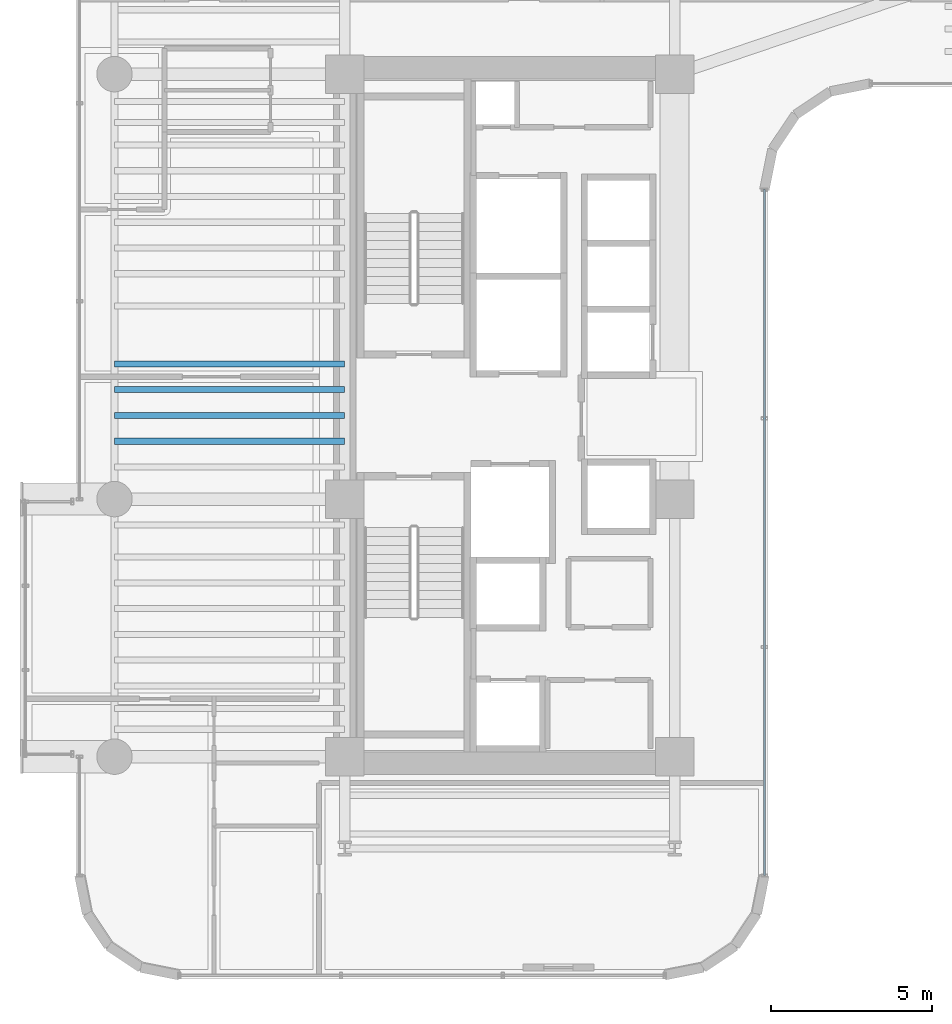
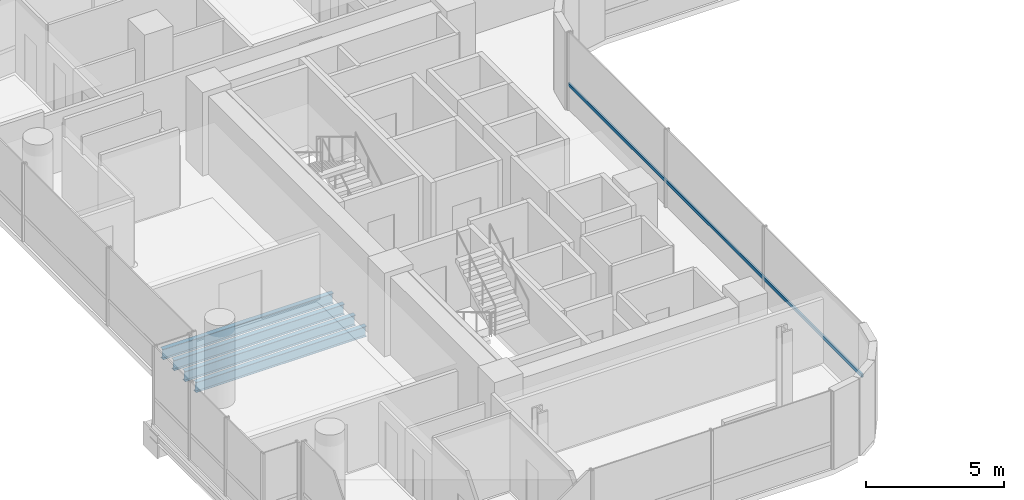
# One storey, part 6 of 37: 4 beams, 1 member, 1 element without a shape of its own.
"""IFC4 building model written with IfcOpenShell, lengths in metres."""

from ifc_helpers import new_model, si_unit, direction, frame, origin, origin_2d, place, context, subcontext, project, spatial, hollow_rectangle, i_section, extrude, source, transform, mapped, material, material_profile, profile_set, type_object, element, aggregate, save


model = new_model("IFC4")

# Units and contexts
model_context = context("Model", 3, precision=1e-05, world=origin(), true_north=direction((0.0, 1.0)))
body_context = subcontext(model_context, "Body", "Model", "MODEL_VIEW")
ifc_project = project(units=[si_unit("LENGTHUNIT", "METRE"), si_unit("AREAUNIT", "SQUARE_METRE"), si_unit("VOLUMEUNIT", "CUBIC_METRE"), si_unit("PLANEANGLEUNIT", "RADIAN"), si_unit("MASSUNIT", "GRAM", prefix="KILO")], contexts=[model_context])

# Site, building, storey
site_placement = place(None, origin())
site = spatial("IfcSite", under=ifc_project, at=site_placement, CompositionType="ELEMENT")
building_placement = place(site_placement, origin())
building = spatial("IfcBuilding", under=site, at=building_placement, Name="Valdorenza Pilgrim Sanctuary Tower", CompositionType="ELEMENT")
storey_placement = place(building_placement, frame((0.0, 0.0, 127.89990234375)))
storey = spatial("IfcBuildingStorey", under=building, at=storey_placement, Name="L32", CompositionType="ELEMENT", Elevation=127.89990234375)

# Beams
ifc_material_1 = material(Name="Steel ASTM A992 Grade 50", Category="steel")
ifc_material_profile_1 = material_profile(ifc_material_1, i_section(OverallWidth=0.19091796875, OverallDepth=0.45703125, WebThickness=0.009033203125, FlangeThickness=0.014404296875, at=origin_2d()), Name="W18X50")
ifc_profile_set_1 = profile_set([ifc_material_profile_1], Name="Steel ASTM A992 Grade 50")
beam_type = type_object("IfcBeamType", Name="STR-BM-JST-W18B", PredefinedType="JOIST", material=ifc_profile_set_1)
shared_shape_1 = source(origin(), body_context, "Body", "SweptSolid", [
    extrude(i_section(OverallWidth=0.19091796875, OverallDepth=0.45703125, WebThickness=0.009033203125, FlangeThickness=0.014404296875, at=origin_2d()), origin(), (0.0, 0.0, 1.0), 7.150146484375),
])
for number, where, z_axis, x_axis, name in (
    (1, (-29.800048828125, -0.800048828125, -0.468505859375), (1.0, 0.0, 0.0), (0.0, 1.0, 0.0), "L32 Composite Floor Joist JST-WA-11"),
    (2, (-29.800048828125, 0.0, -0.468505859375), (1.0, 0.0, 0.0), (0.0, 1.0, 0.0), "L32 Composite Floor Joist JST-WA-12"),
    (3, (-29.800048828125, 0.800048828125, -0.468505859375), (1.0, 0.0, 0.0), (0.0, 1.0, 0.0), "L32 Composite Floor Joist JST-WA-13"),
    (4, (-29.800048828125, 1.60009765625, -0.468505859375), (1.0, 0.0, 0.0), (0.0, 1.0, 0.0), "L32 Composite Floor Joist JST-WA-14"),
):
    element("IfcBeam", number, at=place(storey_placement, frame(where, z_axis=z_axis, x_axis=x_axis)), inside=storey, type_object=beam_type, Name=name, PredefinedType="JOIST", context=body_context, shape_type="MappedRepresentation", body=[
        mapped(shared_shape_1, transform((0.0, 0.0, 0.0), x_axis=(1.0, 0.0, 0.0), y_axis=(0.0, 1.0, 0.0), z_axis=(0.0, 0.0, 1.0), scale=1.0)),
    ])

# Curtain wall, member
ifc_material_2 = material(Name="Curtain-wall IGU glazing", Category="glass")
curtain_wall_type = type_object("IfcCurtainWallType", Name="CW-SYS-02", PredefinedType="NOTDEFINED", material=ifc_material_2)
curtain_wall_placement = place(storey_placement, origin())
curtain_wall = element("IfcCurtainWall", 5, at=curtain_wall_placement, inside=storey, type_object=curtain_wall_type, Name="L32 Curtain Wall CW-L32-1-41", PredefinedType="NOTDEFINED")
ifc_material_3 = material(Name="Anodised aluminium AW-6060", Category="aluminium")
ifc_material_profile_2 = material_profile(ifc_material_3, hollow_rectangle(XDim=0.074951171875, YDim=0.14990234375, WallThickness=0.00390625, at=origin_2d()), Name="ALU-T 150x75x4")
ifc_profile_set_2 = profile_set([ifc_material_profile_2], Name="Anodised aluminium AW-6060")
member_type = type_object("IfcMemberType", Name="CW-TRN-02", PredefinedType="USERDEFINED", material=ifc_profile_set_2)
shared_shape_2 = source(origin(), body_context, "Body", "SweptSolid", [
    extrude(hollow_rectangle(XDim=0.074951171875, YDim=0.14990234375, WallThickness=0.00390625, at=origin_2d()), origin(), (0.0, 0.0, 1.0), 21.300048828125),
])
member_placement = place(storey_placement, frame((-9.610107421875, 7.0107421875, 1.1201171875), z_axis=(0.0, -1.0, 0.0), x_axis=(1.0, 0.0, 0.0)))
member = element("IfcMember", 6, at=member_placement, type_object=member_type, Name="CW-L32-1-41 Transom 1", ObjectType="TRANSOM", PredefinedType="USERDEFINED", context=body_context, shape_type="MappedRepresentation", body=[
    mapped(shared_shape_2, transform((0.0, 0.0, 0.0), x_axis=(1.0, 0.0, 0.0), y_axis=(0.0, 1.0, 0.0), z_axis=(0.0, 0.0, 1.0), scale=1.0)),
])
aggregate(curtain_wall, [member])

save(model, "model.ifc")
